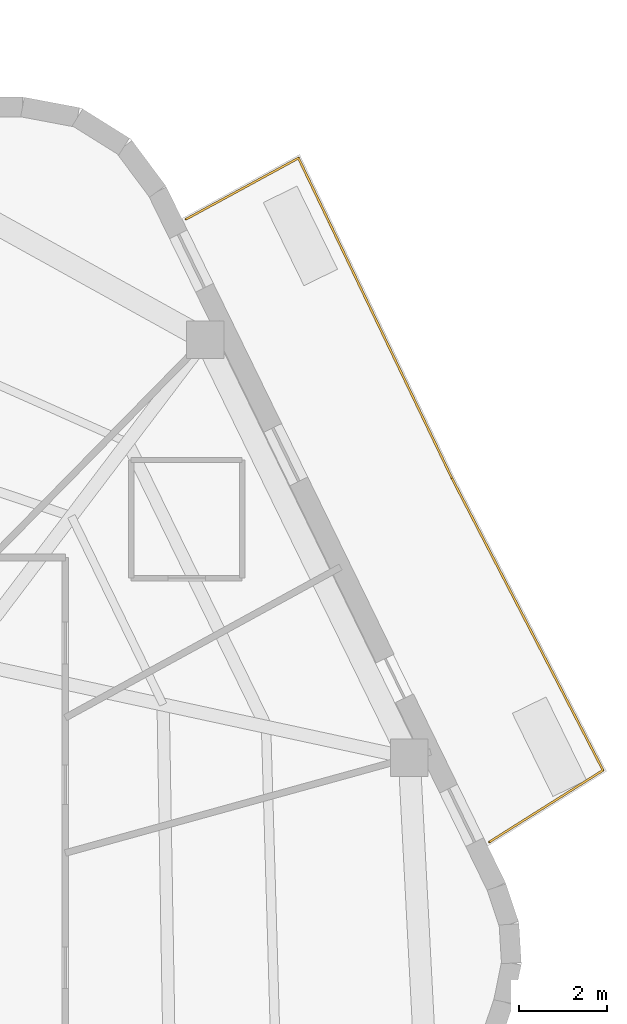
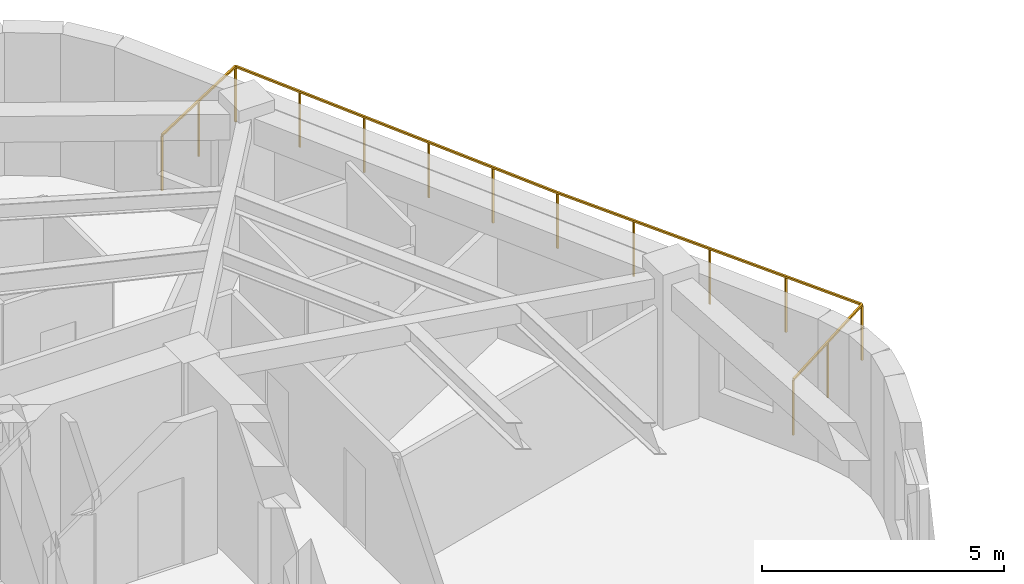
# One storey, part 9 of 9: 1 railing.
"""IFC4 building model written with IfcOpenShell, lengths in metres."""

from ifc_helpers import new_model, si_unit, direction, frame, origin, origin_2d, place, context, subcontext, project, spatial, rectangle, extrude, material, layer, layer_set, type_object, element, save


model = new_model("IFC4")

# Units and contexts
model_context = context("Model", 3, precision=1e-05, world=origin(), true_north=direction((0.0, 1.0)))
body_context = subcontext(model_context, "Body", "Model", "MODEL_VIEW")
ifc_project = project(units=[si_unit("LENGTHUNIT", "METRE"), si_unit("AREAUNIT", "SQUARE_METRE"), si_unit("VOLUMEUNIT", "CUBIC_METRE"), si_unit("PLANEANGLEUNIT", "RADIAN"), si_unit("MASSUNIT", "GRAM", prefix="KILO")], contexts=[model_context])

# Site, building, storey
site_placement = place(None, origin())
site = spatial("IfcSite", under=ifc_project, at=site_placement, CompositionType="ELEMENT")
building_placement = place(site_placement, origin())
building = spatial("IfcBuilding", under=site, at=building_placement, Name="Kilnhurst Terrace Hotel", CompositionType="ELEMENT")
storey_placement = place(building_placement, frame((0.0, 0.0, 280.800048828125)))
storey = spatial("IfcBuildingStorey", under=building, at=storey_placement, Name="L70", CompositionType="ELEMENT", Elevation=280.800048828125)

# Railing
ifc_material = material(Name="Laminated SentryGlas and Stainless Steel AISI 316L Balustrade", Category="steel")
ifc_layer = layer(ifc_material, 0.070068359375, Name="Laminated SentryGlas and Stainless Steel AISI 316L Balustrade")
ifc_layer_set = layer_set([ifc_layer], Name="Laminated SentryGlas and Stainless Steel AISI 316L Balustrade")
railing_type = type_object("IfcRailingType", Name="RLG-BAL-1420", PredefinedType="BALUSTRADE", material=ifc_layer_set)
railing_placement = place(storey_placement, frame((14.089599609375, 17.52880859375, 0.0)))
element("IfcRailing", 1, at=railing_placement, inside=storey, type_object=railing_type, Name="L70 Exterior Terrace Guardrail BAL-L1A.1", PredefinedType="BALUSTRADE", context=body_context, shape_type="SweptSolid", body=[
    extrude(rectangle(XDim=0.048095703125, YDim=0.048095703125, at=origin_2d()), frame((0.0, 0.0, 1.39599609375), z_axis=(0.878504936271, 0.477733269667, 0.0), x_axis=(-0.477733269667, 0.878504936271, 0.0)), (0.0, 0.0, 1.0), 2.90576171875),
    extrude(rectangle(XDim=0.048095703125, YDim=0.048095703125, at=origin_2d()), frame((2.552734375, 1.38818359375, 1.39599609375), z_axis=(0.432219770894, -0.901768301532, 0.0), x_axis=(0.901768301532, 0.432219770894, 0.0)), (0.0, 0.0, 1.0), 8.0576171875),
    extrude(rectangle(XDim=0.048095703125, YDim=0.048095703125, at=origin_2d()), frame((6.035400390625, -5.8779296875, 1.39599609375), z_axis=(0.496138938357, -0.868243142124, 0.0), x_axis=(0.868243142124, 0.496138938357, 0.0)), (0.0, 0.0, 1.0), 0.001953125),
    extrude(rectangle(XDim=0.048095703125, YDim=0.048095703125, at=origin_2d()), frame((6.036376953125, -5.879638671875, 1.39599609375), z_axis=(0.459705000347, -0.888071682161, 0.0), x_axis=(0.888071682161, 0.459705000347, 0.0)), (0.0, 0.0, 1.0), 7.46337890625),
    extrude(rectangle(XDim=0.048095703125, YDim=0.048095703125, at=origin_2d()), frame((9.46728515625, -12.507568359375, 1.39599609375), z_axis=(-0.845686755454, -0.533679596434, 0.0), x_axis=(0.533679596434, -0.845686755454, 0.0)), (0.0, 0.0, 1.0), 3.048583984375),
    extrude(rectangle(XDim=0.0419921875, YDim=0.0419921875, at=origin_2d()), origin(), (0.0, 0.0, 1.0), 1.371826171875),
    extrude(rectangle(XDim=0.0419921875, YDim=0.0419921875, at=origin_2d()), frame((1.2763671875, 0.694091796875, 0.0)), (0.0, 0.0, 1.0), 1.371826171875),
    extrude(rectangle(XDim=0.0419921875, YDim=0.0419921875, at=origin_2d()), frame((2.552734375, 1.38818359375, 0.0)), (0.0, 0.0, 1.0), 1.371826171875),
    extrude(rectangle(XDim=0.0419921875, YDim=0.0419921875, at=origin_2d()), frame((3.249267578125, -0.06494140625, 0.0)), (0.0, 0.0, 1.0), 1.371826171875),
    extrude(rectangle(XDim=0.0419921875, YDim=0.0419921875, at=origin_2d()), frame((3.94580078125, -1.518310546875, 0.0)), (0.0, 0.0, 1.0), 1.371826171875),
    extrude(rectangle(XDim=0.0419921875, YDim=0.0419921875, at=origin_2d()), frame((4.642333984375, -2.971435546875, 0.0)), (0.0, 0.0, 1.0), 1.371826171875),
    extrude(rectangle(XDim=0.0419921875, YDim=0.0419921875, at=origin_2d()), frame((5.3388671875, -4.4248046875, 0.0)), (0.0, 0.0, 1.0), 1.371826171875),
    extrude(rectangle(XDim=0.0419921875, YDim=0.0419921875, at=origin_2d()), frame((6.035400390625, -5.8779296875, 0.0)), (0.0, 0.0, 1.0), 1.371826171875),
    extrude(rectangle(XDim=0.0419921875, YDim=0.0419921875, at=origin_2d()), frame((6.036376953125, -5.879638671875, 0.0)), (0.0, 0.0, 1.0), 1.371826171875),
    extrude(rectangle(XDim=0.0419921875, YDim=0.0419921875, at=origin_2d()), frame((6.89404296875, -7.53662109375, 0.0)), (0.0, 0.0, 1.0), 1.371826171875),
    extrude(rectangle(XDim=0.0419921875, YDim=0.0419921875, at=origin_2d()), frame((7.751953125, -9.193603515625, 0.0)), (0.0, 0.0, 1.0), 1.371826171875),
    extrude(rectangle(XDim=0.0419921875, YDim=0.0419921875, at=origin_2d()), frame((8.609619140625, -10.8505859375, 0.0)), (0.0, 0.0, 1.0), 1.371826171875),
    extrude(rectangle(XDim=0.0419921875, YDim=0.0419921875, at=origin_2d()), frame((9.46728515625, -12.507568359375, 0.0)), (0.0, 0.0, 1.0), 1.371826171875),
    extrude(rectangle(XDim=0.0419921875, YDim=0.0419921875, at=origin_2d()), frame((8.17822265625, -13.321044921875, 0.0)), (0.0, 0.0, 1.0), 1.371826171875),
    extrude(rectangle(XDim=0.0419921875, YDim=0.0419921875, at=origin_2d()), frame((6.88916015625, -14.134521484375, 0.0)), (0.0, 0.0, 1.0), 1.371826171875),
])

save(model, "model.ifc")
